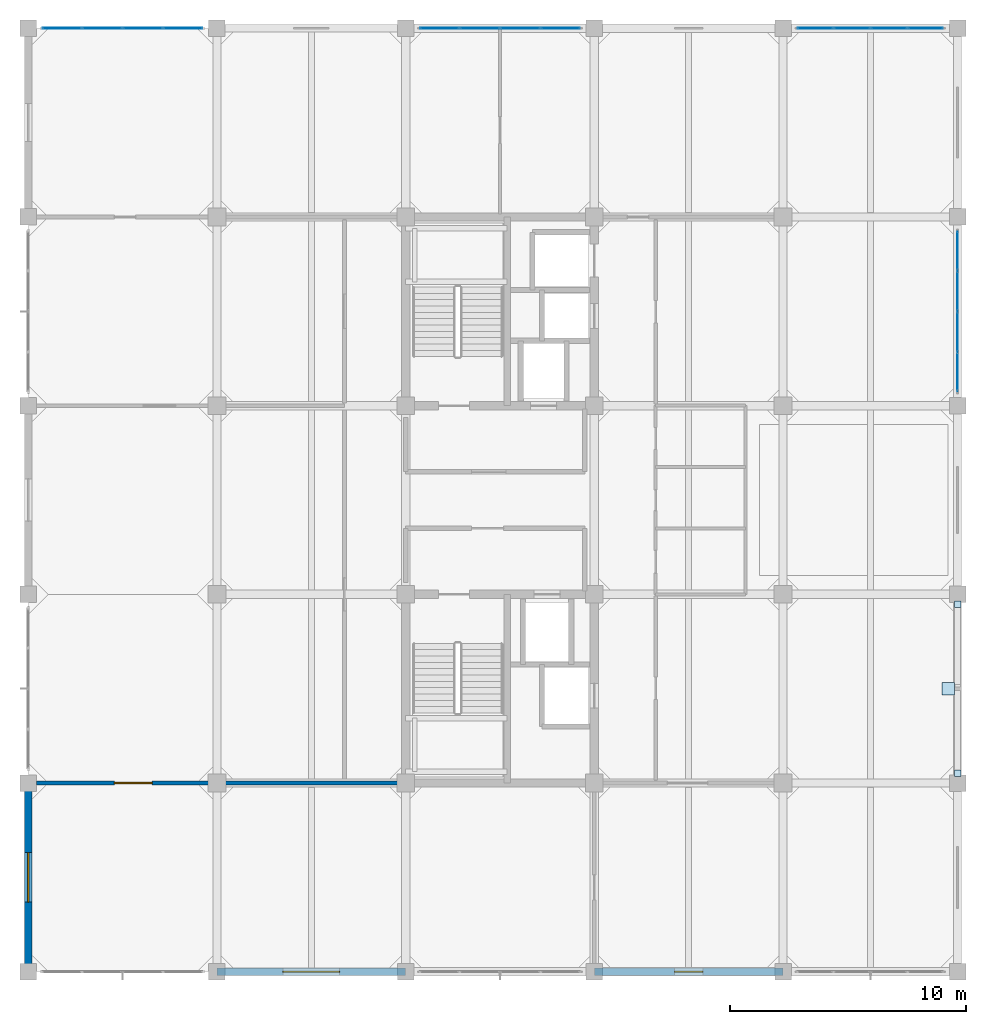
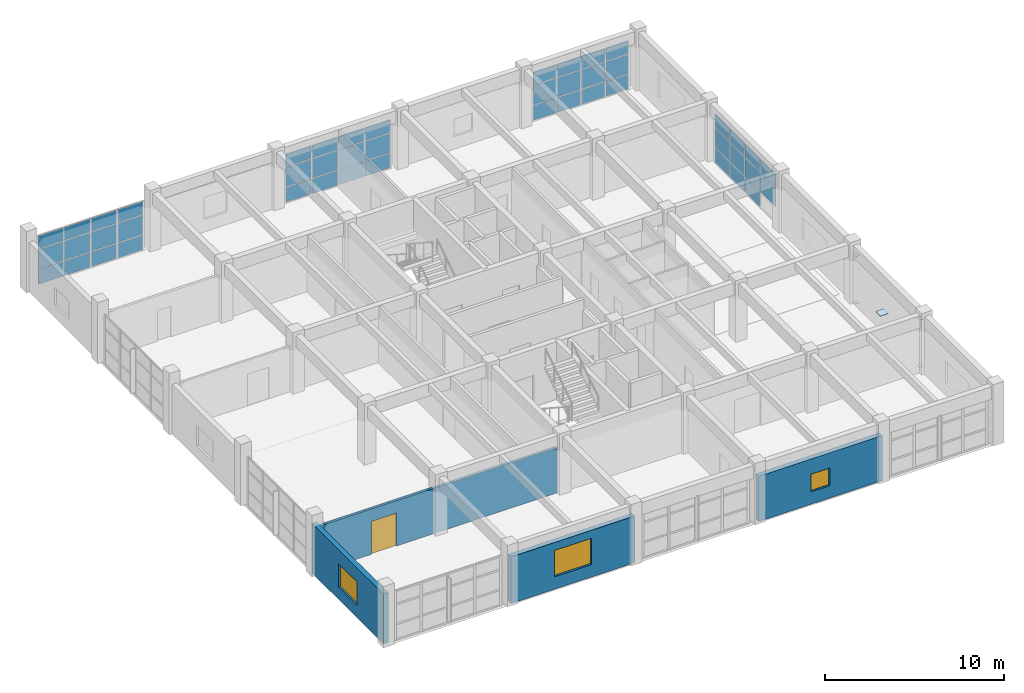
# One storey, part 20 of 27: 52 plates, 4 walls, 3 windows, 1 door, 4 openings, 4 elements without a shape of their own.
"""IFC4 building model written with IfcOpenShell, lengths in metres."""

from ifc_helpers import new_model, si_unit, direction, frame, frame_2d, origin, origin_2d, place, context, subcontext, project, spatial, rectangle, extrude, material, layer, layer_set, type_object, element, fill, aggregate, save


model = new_model("IFC4")

# Units and contexts
model_context = context("Model", 3, precision=1e-05, world=origin(), true_north=direction((0.0, 1.0)))
body_context = subcontext(model_context, "Body", "Model", "MODEL_VIEW")
ifc_project = project(units=[si_unit("LENGTHUNIT", "METRE"), si_unit("AREAUNIT", "SQUARE_METRE"), si_unit("VOLUMEUNIT", "CUBIC_METRE"), si_unit("PLANEANGLEUNIT", "RADIAN"), si_unit("MASSUNIT", "GRAM", prefix="KILO")], contexts=[model_context])

# Site, building, storey
site_placement = place(None, origin())
site = spatial("IfcSite", under=ifc_project, at=site_placement, CompositionType="ELEMENT")
building_placement = place(site_placement, origin())
building = spatial("IfcBuilding", under=site, at=building_placement, Name="Canggui Botanical Conservatory", CompositionType="ELEMENT")
storey_placement = place(building_placement, frame((0.0, 0.0, 36.0)))
storey = spatial("IfcBuildingStorey", under=building, at=storey_placement, Name="L09", CompositionType="ELEMENT", Elevation=36.0)

# Curtain wall, plates
ifc_material_1 = material(Name="Thermally Broken Aluminium", Category="aluminium")
ifc_layer_1 = layer(ifc_material_1, 0.14990234375, Name="Thermally Broken Aluminium", Category="aluminium")
ifc_layer_set_1 = layer_set([ifc_layer_1], Name="Thermally Broken Aluminium")
curtain_wall_type = type_object("IfcCurtainWallType", Name="CW-UNIT-C", PredefinedType="USERDEFINED", material=ifc_layer_set_1)
curtain_wall_1_placement = place(storey_placement, origin())
curtain_wall_1 = element("IfcCurtainWall", 1, at=curtain_wall_1_placement, inside=storey, type_object=curtain_wall_type, Name="Facade Curtain Wall CW-TWR-L09-11", ObjectType="UNITISED CURTAIN WALL", PredefinedType="USERDEFINED")
ifc_material_2 = material(Name="Low-E Insulated Glass", Category="glass")
ifc_layer_2 = layer(ifc_material_2, 0.033935546875, Name="Low-E Insulated Glass", Category="glass")
ifc_layer_set_2 = layer_set([ifc_layer_2], Name="Low-E Insulated Glass")
plate_type_1 = type_object("IfcPlateType", Name="CWP-03", PredefinedType="CURTAIN_PANEL", material=ifc_layer_set_2)
plate_1_placement = place(storey_placement, frame((139.43505859375, 74.0, 0.05517578125), z_axis=(0.0, 0.0, 1.0), x_axis=(1.0, 0.0, 0.0)))
plate_1 = element("IfcPlate", 2, at=plate_1_placement, type_object=plate_type_1, Name="CW-03 panel 1.1", PredefinedType="CURTAIN_PANEL", context=body_context, shape_type="SweptSolid", body=[
    extrude(rectangle(XDim=1.6298828125, YDim=0.033935546875, at=origin_2d()), origin(), (0.0, 0.0, 1.0), 1.005615234375),
])
plate_2_placement = place(storey_placement, frame((139.43505859375, 74.0, 1.11572265625), z_axis=(0.0, 0.0, 1.0), x_axis=(1.0, 0.0, 0.0)))
plate_2 = element("IfcPlate", 3, at=plate_2_placement, type_object=plate_type_1, Name="CW-03 panel 1.2", PredefinedType="CURTAIN_PANEL", context=body_context, shape_type="SweptSolid", body=[
    extrude(rectangle(XDim=1.6298828125, YDim=0.033935546875, at=origin_2d()), origin(), (0.0, 0.0, 1.0), 1.304931640625),
])
plate_3_placement = place(storey_placement, frame((139.43505859375, 74.0, 2.4755859375), z_axis=(0.0, 0.0, 1.0), x_axis=(1.0, 0.0, 0.0)))
plate_3 = element("IfcPlate", 4, at=plate_3_placement, type_object=plate_type_1, Name="CW-03 panel 1.3", PredefinedType="CURTAIN_PANEL", context=body_context, shape_type="SweptSolid", body=[
    extrude(rectangle(XDim=1.6298828125, YDim=0.033935546875, at=origin_2d()), origin(), (0.0, 0.0, 1.0), 0.869384765625),
])
plate_4_placement = place(storey_placement, frame((141.139892578125, 74.0, 0.05517578125), z_axis=(0.0, 0.0, 1.0), x_axis=(1.0, 0.0, 0.0)))
plate_4 = element("IfcPlate", 5, at=plate_4_placement, type_object=plate_type_1, Name="CW-03 panel 2.1", PredefinedType="CURTAIN_PANEL", context=body_context, shape_type="SweptSolid", body=[
    extrude(rectangle(XDim=1.659912109375, YDim=0.033935546875, at=origin_2d()), origin(), (0.0, 0.0, 1.0), 1.005615234375),
])
plate_5_placement = place(storey_placement, frame((141.139892578125, 74.0, 1.11572265625), z_axis=(0.0, 0.0, 1.0), x_axis=(1.0, 0.0, 0.0)))
plate_5 = element("IfcPlate", 6, at=plate_5_placement, type_object=plate_type_1, Name="CW-03 panel 2.2", PredefinedType="CURTAIN_PANEL", context=body_context, shape_type="SweptSolid", body=[
    extrude(rectangle(XDim=1.659912109375, YDim=0.033935546875, at=origin_2d()), origin(), (0.0, 0.0, 1.0), 1.304931640625),
])
plate_6_placement = place(storey_placement, frame((141.139892578125, 74.0, 2.4755859375), z_axis=(0.0, 0.0, 1.0), x_axis=(1.0, 0.0, 0.0)))
plate_6 = element("IfcPlate", 7, at=plate_6_placement, type_object=plate_type_1, Name="CW-03 panel 2.3", PredefinedType="CURTAIN_PANEL", context=body_context, shape_type="SweptSolid", body=[
    extrude(rectangle(XDim=1.659912109375, YDim=0.033935546875, at=origin_2d()), origin(), (0.0, 0.0, 1.0), 0.869384765625),
])
plate_7_placement = place(storey_placement, frame((142.860107421875, 74.0, 0.05517578125), z_axis=(0.0, 0.0, 1.0), x_axis=(1.0, 0.0, 0.0)))
plate_7 = element("IfcPlate", 8, at=plate_7_placement, type_object=plate_type_1, Name="CW-03 panel 3.1", PredefinedType="CURTAIN_PANEL", context=body_context, shape_type="SweptSolid", body=[
    extrude(rectangle(XDim=1.659912109375, YDim=0.033935546875, at=origin_2d()), origin(), (0.0, 0.0, 1.0), 1.005615234375),
])
plate_8_placement = place(storey_placement, frame((142.860107421875, 74.0, 1.11572265625), z_axis=(0.0, 0.0, 1.0), x_axis=(1.0, 0.0, 0.0)))
plate_8 = element("IfcPlate", 9, at=plate_8_placement, type_object=plate_type_1, Name="CW-03 panel 3.2", PredefinedType="CURTAIN_PANEL", context=body_context, shape_type="SweptSolid", body=[
    extrude(rectangle(XDim=1.659912109375, YDim=0.033935546875, at=origin_2d()), origin(), (0.0, 0.0, 1.0), 1.304931640625),
])
plate_9_placement = place(storey_placement, frame((142.860107421875, 74.0, 2.4755859375), z_axis=(0.0, 0.0, 1.0), x_axis=(1.0, 0.0, 0.0)))
plate_9 = element("IfcPlate", 10, at=plate_9_placement, type_object=plate_type_1, Name="CW-03 panel 3.3", PredefinedType="CURTAIN_PANEL", context=body_context, shape_type="SweptSolid", body=[
    extrude(rectangle(XDim=1.659912109375, YDim=0.033935546875, at=origin_2d()), origin(), (0.0, 0.0, 1.0), 0.869384765625),
])
plate_10_placement = place(storey_placement, frame((144.56494140625, 74.0, 0.05517578125), z_axis=(0.0, 0.0, 1.0), x_axis=(1.0, 0.0, 0.0)))
plate_10 = element("IfcPlate", 11, at=plate_10_placement, type_object=plate_type_1, Name="CW-03 panel 4.1", PredefinedType="CURTAIN_PANEL", context=body_context, shape_type="SweptSolid", body=[
    extrude(rectangle(XDim=1.6298828125, YDim=0.033935546875, at=origin_2d()), origin(), (0.0, 0.0, 1.0), 1.005615234375),
])
plate_11_placement = place(storey_placement, frame((144.56494140625, 74.0, 1.11572265625), z_axis=(0.0, 0.0, 1.0), x_axis=(1.0, 0.0, 0.0)))
plate_11 = element("IfcPlate", 12, at=plate_11_placement, type_object=plate_type_1, Name="CW-03 panel 4.2", PredefinedType="CURTAIN_PANEL", context=body_context, shape_type="SweptSolid", body=[
    extrude(rectangle(XDim=1.6298828125, YDim=0.033935546875, at=origin_2d()), origin(), (0.0, 0.0, 1.0), 1.304931640625),
])
plate_12_placement = place(storey_placement, frame((144.56494140625, 74.0, 2.4755859375), z_axis=(0.0, 0.0, 1.0), x_axis=(1.0, 0.0, 0.0)))
plate_12 = element("IfcPlate", 13, at=plate_12_placement, type_object=plate_type_1, Name="CW-03 panel 4.3", PredefinedType="CURTAIN_PANEL", context=body_context, shape_type="SweptSolid", body=[
    extrude(rectangle(XDim=1.6298828125, YDim=0.033935546875, at=origin_2d()), origin(), (0.0, 0.0, 1.0), 0.869384765625),
])
aggregate(curtain_wall_1, [plate_1, plate_2, plate_3, plate_4, plate_5, plate_6, plate_7, plate_8, plate_9, plate_10, plate_11, plate_12])

curtain_wall_2_placement = place(storey_placement, origin())
curtain_wall_2 = element("IfcCurtainWall", 14, at=curtain_wall_2_placement, inside=storey, type_object=curtain_wall_type, Name="Facade Curtain Wall CW-TWR-L09-13", ObjectType="UNITISED CURTAIN WALL", PredefinedType="USERDEFINED")
plate_13_placement = place(storey_placement, frame((155.43505859375, 74.0, 0.05517578125), z_axis=(0.0, 0.0, 1.0), x_axis=(1.0, 0.0, 0.0)))
plate_13 = element("IfcPlate", 15, at=plate_13_placement, type_object=plate_type_1, Name="CW-03 panel 1.1", PredefinedType="CURTAIN_PANEL", context=body_context, shape_type="SweptSolid", body=[
    extrude(rectangle(XDim=1.6298828125, YDim=0.033935546875, at=origin_2d()), origin(), (0.0, 0.0, 1.0), 1.005615234375),
])
plate_14_placement = place(storey_placement, frame((155.43505859375, 74.0, 1.11572265625), z_axis=(0.0, 0.0, 1.0), x_axis=(1.0, 0.0, 0.0)))
plate_14 = element("IfcPlate", 16, at=plate_14_placement, type_object=plate_type_1, Name="CW-03 panel 1.2", PredefinedType="CURTAIN_PANEL", context=body_context, shape_type="SweptSolid", body=[
    extrude(rectangle(XDim=1.6298828125, YDim=0.033935546875, at=origin_2d()), origin(), (0.0, 0.0, 1.0), 1.304931640625),
])
plate_15_placement = place(storey_placement, frame((155.43505859375, 74.0, 2.4755859375), z_axis=(0.0, 0.0, 1.0), x_axis=(1.0, 0.0, 0.0)))
plate_15 = element("IfcPlate", 17, at=plate_15_placement, type_object=plate_type_1, Name="CW-03 panel 1.3", PredefinedType="CURTAIN_PANEL", context=body_context, shape_type="SweptSolid", body=[
    extrude(rectangle(XDim=1.6298828125, YDim=0.033935546875, at=origin_2d()), origin(), (0.0, 0.0, 1.0), 0.869384765625),
])
plate_16_placement = place(storey_placement, frame((157.139892578125, 74.0, 0.05517578125), z_axis=(0.0, 0.0, 1.0), x_axis=(1.0, 0.0, 0.0)))
plate_16 = element("IfcPlate", 18, at=plate_16_placement, type_object=plate_type_1, Name="CW-03 panel 2.1", PredefinedType="CURTAIN_PANEL", context=body_context, shape_type="SweptSolid", body=[
    extrude(rectangle(XDim=1.659912109375, YDim=0.033935546875, at=origin_2d()), origin(), (0.0, 0.0, 1.0), 1.005615234375),
])
plate_17_placement = place(storey_placement, frame((157.139892578125, 74.0, 1.11572265625), z_axis=(0.0, 0.0, 1.0), x_axis=(1.0, 0.0, 0.0)))
plate_17 = element("IfcPlate", 19, at=plate_17_placement, type_object=plate_type_1, Name="CW-03 panel 2.2", PredefinedType="CURTAIN_PANEL", context=body_context, shape_type="SweptSolid", body=[
    extrude(rectangle(XDim=1.659912109375, YDim=0.033935546875, at=origin_2d()), origin(), (0.0, 0.0, 1.0), 1.304931640625),
])
plate_18_placement = place(storey_placement, frame((157.139892578125, 74.0, 2.4755859375), z_axis=(0.0, 0.0, 1.0), x_axis=(1.0, 0.0, 0.0)))
plate_18 = element("IfcPlate", 20, at=plate_18_placement, type_object=plate_type_1, Name="CW-03 panel 2.3", PredefinedType="CURTAIN_PANEL", context=body_context, shape_type="SweptSolid", body=[
    extrude(rectangle(XDim=1.659912109375, YDim=0.033935546875, at=origin_2d()), origin(), (0.0, 0.0, 1.0), 0.869384765625),
])
plate_19_placement = place(storey_placement, frame((158.860107421875, 74.0, 0.05517578125), z_axis=(0.0, 0.0, 1.0), x_axis=(1.0, 0.0, 0.0)))
plate_19 = element("IfcPlate", 21, at=plate_19_placement, type_object=plate_type_1, Name="CW-03 panel 3.1", PredefinedType="CURTAIN_PANEL", context=body_context, shape_type="SweptSolid", body=[
    extrude(rectangle(XDim=1.659912109375, YDim=0.033935546875, at=origin_2d()), origin(), (0.0, 0.0, 1.0), 1.005615234375),
])
plate_20_placement = place(storey_placement, frame((158.860107421875, 74.0, 1.11572265625), z_axis=(0.0, 0.0, 1.0), x_axis=(1.0, 0.0, 0.0)))
plate_20 = element("IfcPlate", 22, at=plate_20_placement, type_object=plate_type_1, Name="CW-03 panel 3.2", PredefinedType="CURTAIN_PANEL", context=body_context, shape_type="SweptSolid", body=[
    extrude(rectangle(XDim=1.659912109375, YDim=0.033935546875, at=origin_2d()), origin(), (0.0, 0.0, 1.0), 1.304931640625),
])
plate_21_placement = place(storey_placement, frame((158.860107421875, 74.0, 2.4755859375), z_axis=(0.0, 0.0, 1.0), x_axis=(1.0, 0.0, 0.0)))
plate_21 = element("IfcPlate", 23, at=plate_21_placement, type_object=plate_type_1, Name="CW-03 panel 3.3", PredefinedType="CURTAIN_PANEL", context=body_context, shape_type="SweptSolid", body=[
    extrude(rectangle(XDim=1.659912109375, YDim=0.033935546875, at=origin_2d()), origin(), (0.0, 0.0, 1.0), 0.869384765625),
])
plate_22_placement = place(storey_placement, frame((160.56494140625, 74.0, 0.05517578125), z_axis=(0.0, 0.0, 1.0), x_axis=(1.0, 0.0, 0.0)))
plate_22 = element("IfcPlate", 24, at=plate_22_placement, type_object=plate_type_1, Name="CW-03 panel 4.1", PredefinedType="CURTAIN_PANEL", context=body_context, shape_type="SweptSolid", body=[
    extrude(rectangle(XDim=1.6298828125, YDim=0.033935546875, at=origin_2d()), origin(), (0.0, 0.0, 1.0), 1.005615234375),
])
plate_23_placement = place(storey_placement, frame((160.56494140625, 74.0, 1.11572265625), z_axis=(0.0, 0.0, 1.0), x_axis=(1.0, 0.0, 0.0)))
plate_23 = element("IfcPlate", 25, at=plate_23_placement, type_object=plate_type_1, Name="CW-03 panel 4.2", PredefinedType="CURTAIN_PANEL", context=body_context, shape_type="SweptSolid", body=[
    extrude(rectangle(XDim=1.6298828125, YDim=0.033935546875, at=origin_2d()), origin(), (0.0, 0.0, 1.0), 1.304931640625),
])
plate_24_placement = place(storey_placement, frame((160.56494140625, 74.0, 2.4755859375), z_axis=(0.0, 0.0, 1.0), x_axis=(1.0, 0.0, 0.0)))
plate_24 = element("IfcPlate", 26, at=plate_24_placement, type_object=plate_type_1, Name="CW-03 panel 4.3", PredefinedType="CURTAIN_PANEL", context=body_context, shape_type="SweptSolid", body=[
    extrude(rectangle(XDim=1.6298828125, YDim=0.033935546875, at=origin_2d()), origin(), (0.0, 0.0, 1.0), 0.869384765625),
])
aggregate(curtain_wall_2, [plate_13, plate_14, plate_15, plate_16, plate_17, plate_18, plate_19, plate_20, plate_21, plate_22, plate_23, plate_24])

curtain_wall_3_placement = place(storey_placement, origin())
curtain_wall_3 = element("IfcCurtainWall", 27, at=curtain_wall_3_placement, inside=storey, type_object=curtain_wall_type, Name="Facade Curtain Wall CW-TWR-L09-15", ObjectType="UNITISED CURTAIN WALL", PredefinedType="USERDEFINED")
plate_25_placement = place(storey_placement, frame((171.360107421875, 74.0, 0.05517578125), z_axis=(0.0, 0.0, 1.0), x_axis=(1.0, 0.0, 0.0)))
plate_25 = element("IfcPlate", 28, at=plate_25_placement, type_object=plate_type_1, Name="CW-03 panel 1.1", PredefinedType="CURTAIN_PANEL", context=body_context, shape_type="SweptSolid", body=[
    extrude(rectangle(XDim=1.47998046875, YDim=0.033935546875, at=origin_2d()), origin(), (0.0, 0.0, 1.0), 1.005615234375),
])
plate_26_placement = place(storey_placement, frame((171.360107421875, 74.0, 1.11572265625), z_axis=(0.0, 0.0, 1.0), x_axis=(1.0, 0.0, 0.0)))
plate_26 = element("IfcPlate", 29, at=plate_26_placement, type_object=plate_type_1, Name="CW-03 panel 1.2", PredefinedType="CURTAIN_PANEL", context=body_context, shape_type="SweptSolid", body=[
    extrude(rectangle(XDim=1.47998046875, YDim=0.033935546875, at=origin_2d()), origin(), (0.0, 0.0, 1.0), 1.304931640625),
])
plate_27_placement = place(storey_placement, frame((171.360107421875, 74.0, 2.4755859375), z_axis=(0.0, 0.0, 1.0), x_axis=(1.0, 0.0, 0.0)))
plate_27 = element("IfcPlate", 30, at=plate_27_placement, type_object=plate_type_1, Name="CW-03 panel 1.3", PredefinedType="CURTAIN_PANEL", context=body_context, shape_type="SweptSolid", body=[
    extrude(rectangle(XDim=1.47998046875, YDim=0.033935546875, at=origin_2d()), origin(), (0.0, 0.0, 1.0), 0.869384765625),
])
plate_28_placement = place(storey_placement, frame((172.9150390625, 74.0, 0.05517578125), z_axis=(0.0, 0.0, 1.0), x_axis=(1.0, 0.0, 0.0)))
plate_28 = element("IfcPlate", 31, at=plate_28_placement, type_object=plate_type_1, Name="CW-03 panel 2.1", PredefinedType="CURTAIN_PANEL", context=body_context, shape_type="SweptSolid", body=[
    extrude(rectangle(XDim=1.510009765625, YDim=0.033935546875, at=origin_2d()), origin(), (0.0, 0.0, 1.0), 1.005615234375),
])
plate_29_placement = place(storey_placement, frame((172.9150390625, 74.0, 1.11572265625), z_axis=(0.0, 0.0, 1.0), x_axis=(1.0, 0.0, 0.0)))
plate_29 = element("IfcPlate", 32, at=plate_29_placement, type_object=plate_type_1, Name="CW-03 panel 2.2", PredefinedType="CURTAIN_PANEL", context=body_context, shape_type="SweptSolid", body=[
    extrude(rectangle(XDim=1.510009765625, YDim=0.033935546875, at=origin_2d()), origin(), (0.0, 0.0, 1.0), 1.304931640625),
])
plate_30_placement = place(storey_placement, frame((172.9150390625, 74.0, 2.4755859375), z_axis=(0.0, 0.0, 1.0), x_axis=(1.0, 0.0, 0.0)))
plate_30 = element("IfcPlate", 33, at=plate_30_placement, type_object=plate_type_1, Name="CW-03 panel 2.3", PredefinedType="CURTAIN_PANEL", context=body_context, shape_type="SweptSolid", body=[
    extrude(rectangle(XDim=1.510009765625, YDim=0.033935546875, at=origin_2d()), origin(), (0.0, 0.0, 1.0), 0.869384765625),
])
plate_31_placement = place(storey_placement, frame((174.485107421875, 74.0, 0.05517578125), z_axis=(0.0, 0.0, 1.0), x_axis=(1.0, 0.0, 0.0)))
plate_31 = element("IfcPlate", 34, at=plate_31_placement, type_object=plate_type_1, Name="CW-03 panel 3.1", PredefinedType="CURTAIN_PANEL", context=body_context, shape_type="SweptSolid", body=[
    extrude(rectangle(XDim=1.510009765625, YDim=0.033935546875, at=origin_2d()), origin(), (0.0, 0.0, 1.0), 1.005615234375),
])
plate_32_placement = place(storey_placement, frame((174.485107421875, 74.0, 1.11572265625), z_axis=(0.0, 0.0, 1.0), x_axis=(1.0, 0.0, 0.0)))
plate_32 = element("IfcPlate", 35, at=plate_32_placement, type_object=plate_type_1, Name="CW-03 panel 3.2", PredefinedType="CURTAIN_PANEL", context=body_context, shape_type="SweptSolid", body=[
    extrude(rectangle(XDim=1.510009765625, YDim=0.033935546875, at=origin_2d()), origin(), (0.0, 0.0, 1.0), 1.304931640625),
])
plate_33_placement = place(storey_placement, frame((174.485107421875, 74.0, 2.4755859375), z_axis=(0.0, 0.0, 1.0), x_axis=(1.0, 0.0, 0.0)))
plate_33 = element("IfcPlate", 36, at=plate_33_placement, type_object=plate_type_1, Name="CW-03 panel 3.3", PredefinedType="CURTAIN_PANEL", context=body_context, shape_type="SweptSolid", body=[
    extrude(rectangle(XDim=1.510009765625, YDim=0.033935546875, at=origin_2d()), origin(), (0.0, 0.0, 1.0), 0.869384765625),
])
plate_34_placement = place(storey_placement, frame((176.0400390625, 74.0, 0.05517578125), z_axis=(0.0, 0.0, 1.0), x_axis=(1.0, 0.0, 0.0)))
plate_34 = element("IfcPlate", 37, at=plate_34_placement, type_object=plate_type_1, Name="CW-03 panel 4.1", PredefinedType="CURTAIN_PANEL", context=body_context, shape_type="SweptSolid", body=[
    extrude(rectangle(XDim=1.47998046875, YDim=0.033935546875, at=origin_2d()), origin(), (0.0, 0.0, 1.0), 1.005615234375),
])
plate_35_placement = place(storey_placement, frame((176.0400390625, 74.0, 1.11572265625), z_axis=(0.0, 0.0, 1.0), x_axis=(1.0, 0.0, 0.0)))
plate_35 = element("IfcPlate", 38, at=plate_35_placement, type_object=plate_type_1, Name="CW-03 panel 4.2", PredefinedType="CURTAIN_PANEL", context=body_context, shape_type="SweptSolid", body=[
    extrude(rectangle(XDim=1.47998046875, YDim=0.033935546875, at=origin_2d()), origin(), (0.0, 0.0, 1.0), 1.304931640625),
])
plate_36_placement = place(storey_placement, frame((176.0400390625, 74.0, 2.4755859375), z_axis=(0.0, 0.0, 1.0), x_axis=(1.0, 0.0, 0.0)))
plate_36 = element("IfcPlate", 39, at=plate_36_placement, type_object=plate_type_1, Name="CW-03 panel 4.3", PredefinedType="CURTAIN_PANEL", context=body_context, shape_type="SweptSolid", body=[
    extrude(rectangle(XDim=1.47998046875, YDim=0.033935546875, at=origin_2d()), origin(), (0.0, 0.0, 1.0), 0.869384765625),
])
aggregate(curtain_wall_3, [plate_25, plate_26, plate_27, plate_28, plate_29, plate_30, plate_31, plate_32, plate_33, plate_34, plate_35, plate_36])

curtain_wall_4_placement = place(storey_placement, origin())
curtain_wall_4 = element("IfcCurtainWall", 40, at=curtain_wall_4_placement, inside=storey, type_object=curtain_wall_type, Name="Facade Curtain Wall CW-TWR-L09-17", ObjectType="UNITISED CURTAIN WALL", PredefinedType="USERDEFINED")
plate_37_placement = place(storey_placement, frame((177.39990234375, 64.56494140625, 0.05517578125), z_axis=(0.0, 0.0, 1.0), x_axis=(0.0, -1.0, 0.0)))
plate_37 = element("IfcPlate", 41, at=plate_37_placement, type_object=plate_type_1, Name="CW-03 panel 1.1", PredefinedType="CURTAIN_PANEL", context=body_context, shape_type="SweptSolid", body=[
    extrude(rectangle(XDim=1.6298828125, YDim=0.033935546875, at=origin_2d()), origin(), (0.0, 0.0, 1.0), 1.005615234375),
])
plate_38_placement = place(storey_placement, frame((177.39990234375, 64.56494140625, 1.11572265625), z_axis=(0.0, 0.0, 1.0), x_axis=(0.0, -1.0, 0.0)))
plate_38 = element("IfcPlate", 42, at=plate_38_placement, type_object=plate_type_1, Name="CW-03 panel 1.2", PredefinedType="CURTAIN_PANEL", context=body_context, shape_type="SweptSolid", body=[
    extrude(rectangle(XDim=1.6298828125, YDim=0.033935546875, at=origin_2d()), origin(), (0.0, 0.0, 1.0), 1.304931640625),
])
plate_39_placement = place(storey_placement, frame((177.39990234375, 64.56494140625, 2.4755859375), z_axis=(0.0, 0.0, 1.0), x_axis=(0.0, -1.0, 0.0)))
plate_39 = element("IfcPlate", 43, at=plate_39_placement, type_object=plate_type_1, Name="CW-03 panel 1.3", PredefinedType="CURTAIN_PANEL", context=body_context, shape_type="SweptSolid", body=[
    extrude(rectangle(XDim=1.6298828125, YDim=0.033935546875, at=origin_2d()), origin(), (0.0, 0.0, 1.0), 0.869384765625),
])
plate_40_placement = place(storey_placement, frame((177.39990234375, 62.860107421875, 0.05517578125), z_axis=(0.0, 0.0, 1.0), x_axis=(0.0, -1.0, 0.0)))
plate_40 = element("IfcPlate", 44, at=plate_40_placement, type_object=plate_type_1, Name="CW-03 panel 2.1", PredefinedType="CURTAIN_PANEL", context=body_context, shape_type="SweptSolid", body=[
    extrude(rectangle(XDim=1.659912109375, YDim=0.033935546875, at=origin_2d()), origin(), (0.0, 0.0, 1.0), 1.005615234375),
])
plate_41_placement = place(storey_placement, frame((177.39990234375, 62.860107421875, 1.11572265625), z_axis=(0.0, 0.0, 1.0), x_axis=(0.0, -1.0, 0.0)))
plate_41 = element("IfcPlate", 45, at=plate_41_placement, type_object=plate_type_1, Name="CW-03 panel 2.2", PredefinedType="CURTAIN_PANEL", context=body_context, shape_type="SweptSolid", body=[
    extrude(rectangle(XDim=1.659912109375, YDim=0.033935546875, at=origin_2d()), origin(), (0.0, 0.0, 1.0), 1.304931640625),
])
plate_42_placement = place(storey_placement, frame((177.39990234375, 62.860107421875, 2.4755859375), z_axis=(0.0, 0.0, 1.0), x_axis=(0.0, -1.0, 0.0)))
plate_42 = element("IfcPlate", 46, at=plate_42_placement, type_object=plate_type_1, Name="CW-03 panel 2.3", PredefinedType="CURTAIN_PANEL", context=body_context, shape_type="SweptSolid", body=[
    extrude(rectangle(XDim=1.659912109375, YDim=0.033935546875, at=origin_2d()), origin(), (0.0, 0.0, 1.0), 0.869384765625),
])
plate_43_placement = place(storey_placement, frame((177.39990234375, 61.139892578125, 0.05517578125), z_axis=(0.0, 0.0, 1.0), x_axis=(0.0, -1.0, 0.0)))
plate_43 = element("IfcPlate", 47, at=plate_43_placement, type_object=plate_type_1, Name="CW-03 panel 3.1", PredefinedType="CURTAIN_PANEL", context=body_context, shape_type="SweptSolid", body=[
    extrude(rectangle(XDim=1.659912109375, YDim=0.033935546875, at=origin_2d()), origin(), (0.0, 0.0, 1.0), 1.005615234375),
])
plate_44_placement = place(storey_placement, frame((177.39990234375, 61.139892578125, 1.11572265625), z_axis=(0.0, 0.0, 1.0), x_axis=(0.0, -1.0, 0.0)))
plate_44 = element("IfcPlate", 48, at=plate_44_placement, type_object=plate_type_1, Name="CW-03 panel 3.2", PredefinedType="CURTAIN_PANEL", context=body_context, shape_type="SweptSolid", body=[
    extrude(rectangle(XDim=1.659912109375, YDim=0.033935546875, at=origin_2d()), origin(), (0.0, 0.0, 1.0), 1.304931640625),
])
plate_45_placement = place(storey_placement, frame((177.39990234375, 61.139892578125, 2.4755859375), z_axis=(0.0, 0.0, 1.0), x_axis=(0.0, -1.0, 0.0)))
plate_45 = element("IfcPlate", 49, at=plate_45_placement, type_object=plate_type_1, Name="CW-03 panel 3.3", PredefinedType="CURTAIN_PANEL", context=body_context, shape_type="SweptSolid", body=[
    extrude(rectangle(XDim=1.659912109375, YDim=0.033935546875, at=origin_2d()), origin(), (0.0, 0.0, 1.0), 0.869384765625),
])
plate_46_placement = place(storey_placement, frame((177.39990234375, 59.43505859375, 1.11572265625), z_axis=(0.0, 0.0, 1.0), x_axis=(0.0, -1.0, 0.0)))
plate_46 = element("IfcPlate", 50, at=plate_46_placement, type_object=plate_type_1, Name="CW-03 panel 4.2", PredefinedType="CURTAIN_PANEL", context=body_context, shape_type="SweptSolid", body=[
    extrude(rectangle(XDim=1.6298828125, YDim=0.033935546875, at=origin_2d()), origin(), (0.0, 0.0, 1.0), 1.304931640625),
])
plate_47_placement = place(storey_placement, frame((177.39990234375, 59.43505859375, 2.4755859375), z_axis=(0.0, 0.0, 1.0), x_axis=(0.0, -1.0, 0.0)))
plate_47 = element("IfcPlate", 51, at=plate_47_placement, type_object=plate_type_1, Name="CW-03 panel 4.3", PredefinedType="CURTAIN_PANEL", context=body_context, shape_type="SweptSolid", body=[
    extrude(rectangle(XDim=1.6298828125, YDim=0.033935546875, at=origin_2d()), origin(), (0.0, 0.0, 1.0), 0.869384765625),
])
aggregate(curtain_wall_4, [plate_37, plate_38, plate_39, plate_40, plate_41, plate_42, plate_43, plate_44, plate_45, plate_46, plate_47])

# Plates
ifc_material_3 = material(Name="Steel Q355B", Category="steel")
ifc_layer_3 = layer(ifc_material_3, 0.02001953125, Name="Steel Q355B", Category="steel")
ifc_layer_set_3 = layer_set([ifc_layer_3], Name="Steel Q355B")
plate_type_2 = type_object("IfcPlateType", Name="PLT-CAP-20", PredefinedType="USERDEFINED", material=ifc_layer_set_3)
for number, where, z_axis, x_axis, name in (
    (52, (177.39990234375, 42.419921875, 0.0400390625), (0.0, 0.0, 1.0), (1.0, 0.0, 0.0), "CP-ZC-L09-1"),
    (53, (177.39990234375, 49.580078125, 0.0400390625), (0.0, 0.0, 1.0), (1.0, 0.0, 0.0), "CP-ZC-L09-2"),
    (54, (177.39990234375, 42.419921875, 3.27001953125), (0.0, 0.0, 1.0), (1.0, 0.0, 0.0), "CP-ZC-L09-3"),
    (55, (177.39990234375, 49.580078125, 3.27001953125), (0.0, 0.0, 1.0), (1.0, 0.0, 0.0), "CP-ZC-L09-4"),
):
    element("IfcPlate", number, at=place(storey_placement, frame(where, z_axis=z_axis, x_axis=x_axis)), inside=storey, type_object=plate_type_2, Name=name, ObjectType="END CAP PLATE", PredefinedType="USERDEFINED", context=body_context, shape_type="SweptSolid", body=[
        extrude(rectangle(XDim=0.280029296875, YDim=0.280029296875, at=origin_2d()), origin(), (0.0, 0.0, 1.0), 0.02001953125),
    ])
ifc_material_4 = material(Name="Steel Q355C", Category="steel")
ifc_layer_4 = layer(ifc_material_4, 0.02392578125, Name="Steel Q355C", Category="steel")
ifc_layer_set_4 = layer_set([ifc_layer_4], Name="Steel Q355C")
plate_type_3 = type_object("IfcPlateType", Name="PLT-GUSSET-24", PredefinedType="USERDEFINED", material=ifc_layer_set_4)
plate_48_placement = place(storey_placement, frame((177.0048828125, 46.0, 1.653076171875), z_axis=(0.0, 0.0, 1.0), x_axis=(1.0, 0.0, 0.0)))
element("IfcPlate", 56, at=plate_48_placement, inside=storey, type_object=plate_type_3, Name="Seismic X-Brace Central Crossing Gusset Plate L09", ObjectType="GUSSET PLATE", PredefinedType="USERDEFINED", context=body_context, shape_type="SweptSolid", body=[
    extrude(rectangle(XDim=0.5400390625, YDim=0.5400390625, at=origin_2d()), origin(), (0.0, 0.0, 1.0), 0.02392578125),
])

# Wall, opening, window
ifc_material_5 = material(Name="Precast Concrete C40", Category="concrete")
ifc_layer_5 = layer(ifc_material_5, 0.320068359375, Name="Precast Concrete C40", Category="concrete")
ifc_layer_set_5 = layer_set([ifc_layer_5], Name="Precast Concrete C40")
wall_type_1 = type_object("IfcWallType", Name="EW-320", PredefinedType="STANDARD", material=ifc_layer_set_5)
wall_1_placement = place(storey_placement, frame((170.0, 34.0, 0.0), z_axis=(0.0, 0.0, 1.0), x_axis=(-1.0, 0.0, 0.0)))
wall_1 = element("IfcWall", 57, at=wall_1_placement, inside=storey, type_object=wall_type_1, Name="Tower Insulated Exterior Wall L09-S2", PredefinedType="STANDARD", context=body_context, shape_type="SweptSolid", body=[
    extrude(rectangle(XDim=8.0, YDim=0.320068359375, at=frame_2d((4.0, 0.0))), origin(), (0.0, 0.0, 1.0), 3.090087890625),
])
opening_1_placement = place(wall_1_placement, frame((3.39990234375, 0.0, 0.85009765625)))
opening_1 = element("IfcOpeningElement", 58, at=opening_1_placement, cuts=wall_1, Name="Opening W-06", PredefinedType="OPENING", context=body_context, shape_type="SweptSolid", body=[
    extrude(rectangle(XDim=1.199951171875, YDim=1.199951171875, at=frame_2d((0.60009765625, 0.60009765625))), frame((0.0, 0.169921875, 0.0), z_axis=(0.0, -1.0, 0.0), x_axis=(1.0, 0.0, 0.0)), (0.0, 0.0, 1.0), 0.340087890625),
])
window_type_1 = type_object("IfcWindowType", Name="WIN-06", PartitioningType="SINGLE_PANEL", PredefinedType="WINDOW", material=ifc_material_2)
window_1_placement = place(opening_1_placement, origin())
window_1 = element("IfcWindow", 59, at=window_1_placement, inside=storey, type_object=window_type_1, Name="Tower Firefighter Rescue Window L09-2", OverallHeight=1.199951171875, OverallWidth=1.199951171875, PartitioningType="SINGLE_PANEL", PredefinedType="WINDOW", context=body_context, shape_type="SweptSolid", body=[
    extrude(rectangle(XDim=1.199951171875, YDim=1.199951171875, at=frame_2d((0.60009765625, 0.60009765625))), frame((0.0, 0.030029296875, 0.0), z_axis=(0.0, -1.0, 0.0), x_axis=(1.0, 0.0, 0.0)), (0.0, 0.0, 1.0), 0.06005859375),
])
fill(opening_1, window_1)

wall_2_placement = place(storey_placement, frame((154.0, 34.0, 0.0), z_axis=(0.0, 0.0, 1.0), x_axis=(-1.0, 0.0, 0.0)))
wall_2 = element("IfcWall", 60, at=wall_2_placement, inside=storey, type_object=wall_type_1, Name="Tower Insulated Exterior Wall L09-S4", PredefinedType="STANDARD", context=body_context, shape_type="SweptSolid", body=[
    extrude(rectangle(XDim=8.0, YDim=0.320068359375, at=frame_2d((4.0, 0.0))), origin(), (0.0, 0.0, 1.0), 3.18994140625),
])
opening_2_placement = place(wall_2_placement, frame((2.800048828125, 0.0, 0.85009765625)))
opening_2 = element("IfcOpeningElement", 61, at=opening_2_placement, cuts=wall_2, Name="Opening W-01", PredefinedType="OPENING", context=body_context, shape_type="SweptSolid", body=[
    extrude(rectangle(XDim=2.39990234375, YDim=1.800048828125, at=frame_2d((1.199951171875, 0.89990234375))), frame((0.0, 0.169921875, 0.0), z_axis=(0.0, -1.0, 0.0), x_axis=(1.0, 0.0, 0.0)), (0.0, 0.0, 1.0), 0.340087890625),
])
window_type_2 = type_object("IfcWindowType", Name="WIN-01", PartitioningType="DOUBLE_PANEL_VERTICAL", PredefinedType="WINDOW", material=ifc_material_2)
window_2_placement = place(opening_2_placement, origin())
window_2 = element("IfcWindow", 62, at=window_2_placement, inside=storey, type_object=window_type_2, Name="Tower Window L09-4", OverallHeight=1.800048828125, OverallWidth=2.39990234375, PartitioningType="SINGLE_PANEL", PredefinedType="WINDOW", context=body_context, shape_type="SweptSolid", body=[
    extrude(rectangle(XDim=2.39990234375, YDim=1.800048828125, at=frame_2d((1.199951171875, 0.89990234375))), frame((0.0, 0.030029296875, 0.0), z_axis=(0.0, -1.0, 0.0), x_axis=(1.0, 0.0, 0.0)), (0.0, 0.0, 1.0), 0.06005859375),
])
fill(opening_2, window_2)

wall_3_placement = place(storey_placement, frame((138.0, 34.0, 0.0), z_axis=(0.0, 0.0, 1.0), x_axis=(0.0, 1.0, 0.0)))
wall_3 = element("IfcWall", 63, at=wall_3_placement, inside=storey, type_object=wall_type_1, Name="Tower Insulated Exterior Wall L09-W6", PredefinedType="STANDARD", context=body_context, shape_type="SweptSolid", body=[
    extrude(rectangle(XDim=8.0, YDim=0.320068359375, at=frame_2d((4.0, 0.0))), origin(), (0.0, 0.0, 1.0), 3.39990234375),
])
opening_3_placement = place(wall_3_placement, frame((2.949951171875, 0.0, 0.85009765625)))
opening_3 = element("IfcOpeningElement", 64, at=opening_3_placement, cuts=wall_3, Name="Opening W-02", PredefinedType="OPENING", context=body_context, shape_type="SweptSolid", body=[
    extrude(rectangle(XDim=2.10009765625, YDim=1.60009765625, at=frame_2d((1.050048828125, 0.800048828125))), frame((0.0, 0.169921875, 0.0), z_axis=(0.0, -1.0, 0.0), x_axis=(1.0, 0.0, 0.0)), (0.0, 0.0, 1.0), 0.340087890625),
])
window_type_3 = type_object("IfcWindowType", Name="WIN-02", PartitioningType="DOUBLE_PANEL_VERTICAL", PredefinedType="WINDOW", material=ifc_material_2)
window_3_placement = place(opening_3_placement, origin())
window_3 = element("IfcWindow", 65, at=window_3_placement, inside=storey, type_object=window_type_3, Name="Tower Window L09-6", OverallHeight=1.60009765625, OverallWidth=2.10009765625, PartitioningType="SINGLE_PANEL", PredefinedType="WINDOW", context=body_context, shape_type="SweptSolid", body=[
    extrude(rectangle(XDim=2.10009765625, YDim=1.60009765625, at=frame_2d((1.050048828125, 0.800048828125))), frame((0.0, 0.030029296875, 0.0), z_axis=(0.0, -1.0, 0.0), x_axis=(1.0, 0.0, 0.0)), (0.0, 0.0, 1.0), 0.06005859375),
])
fill(opening_3, window_3)

# Wall, opening, door
ifc_material_6 = material(Name="Gypsum Plasterboard Partition")
ifc_layer_6 = layer(ifc_material_6, 0.175048828125, Name="Gypsum Plasterboard Partition")
ifc_layer_set_6 = layer_set([ifc_layer_6], Name="Gypsum Plasterboard Partition")
wall_type_2 = type_object("IfcWallType", Name="IW-CORR-175", PredefinedType="STANDARD", material=ifc_layer_set_6)
wall_4_placement = place(storey_placement, frame((138.35009765625, 42.0, 0.0), z_axis=(0.0, 0.0, 1.0), x_axis=(1.0, 0.0, 0.0)))
wall_4 = element("IfcWall", 66, at=wall_4_placement, inside=storey, type_object=wall_type_2, Name="L09 High-Throughput Plant Genomics Laboratory South Suite Wall", PredefinedType="STANDARD", context=body_context, shape_type="SweptSolid", body=[
    extrude(rectangle(XDim=15.2998046875, YDim=0.175048828125, at=frame_2d((7.64990234375, 0.0))), origin(), (0.0, 0.0, 1.0), 3.090087890625),
])
opening_4_placement = place(wall_4_placement, frame((3.300048828125, 0.0, 0.0)))
opening_4 = element("IfcOpeningElement", 67, at=opening_4_placement, cuts=wall_4, Name="Opening FD-15", PredefinedType="OPENING", context=body_context, shape_type="SweptSolid", body=[
    extrude(rectangle(XDim=1.60009765625, YDim=2.25, at=frame_2d((0.800048828125, 1.125))), frame((0.0, 0.09765625, 0.0), z_axis=(0.0, -1.0, 0.0), x_axis=(1.0, 0.0, 0.0)), (0.0, 0.0, 1.0), 0.195068359375),
])
ifc_material_7 = material(Name="Powder-Coated Steel", Category="steel")
door_type = type_object("IfcDoorType", Name="FD-15", OperationType="NOTDEFINED", PredefinedType="DOOR", material=ifc_material_7)
door_placement = place(opening_4_placement, origin())
door = element("IfcDoor", 68, at=door_placement, inside=storey, type_object=door_type, Name="Interior Door IW-L09-SCOR-1", OperationType="DOUBLE_DOOR_SINGLE_SWING", OverallHeight=2.25, OverallWidth=1.60009765625, PredefinedType="DOOR", context=body_context, shape_type="SweptSolid", body=[
    extrude(rectangle(XDim=1.60009765625, YDim=2.25, at=frame_2d((0.800048828125, 1.125))), frame((0.0, 0.02490234375, 0.0), z_axis=(0.0, -1.0, 0.0), x_axis=(1.0, 0.0, 0.0)), (0.0, 0.0, 1.0), 0.050048828125),
])
fill(opening_4, door)

save(model, "model.ifc")
